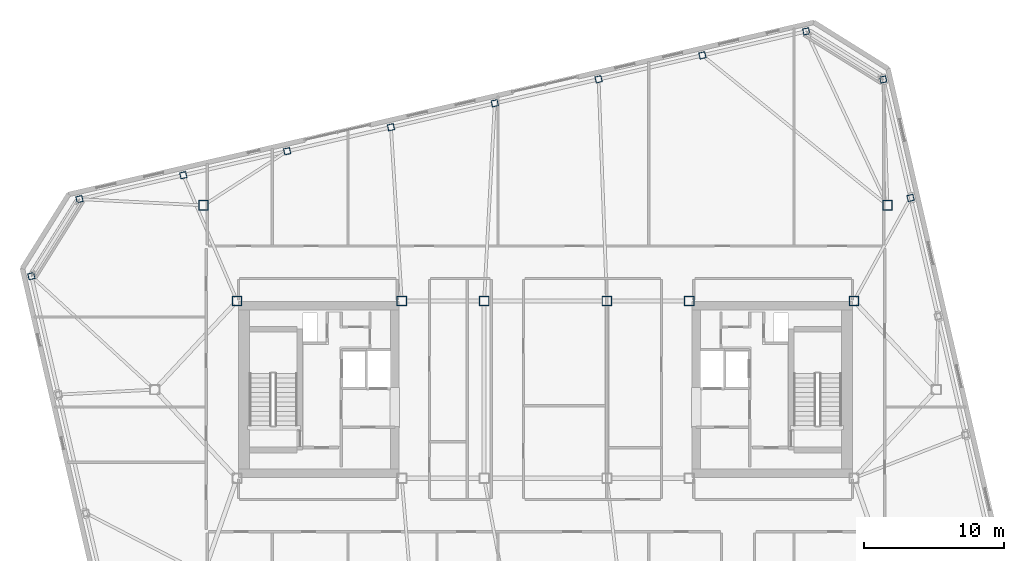
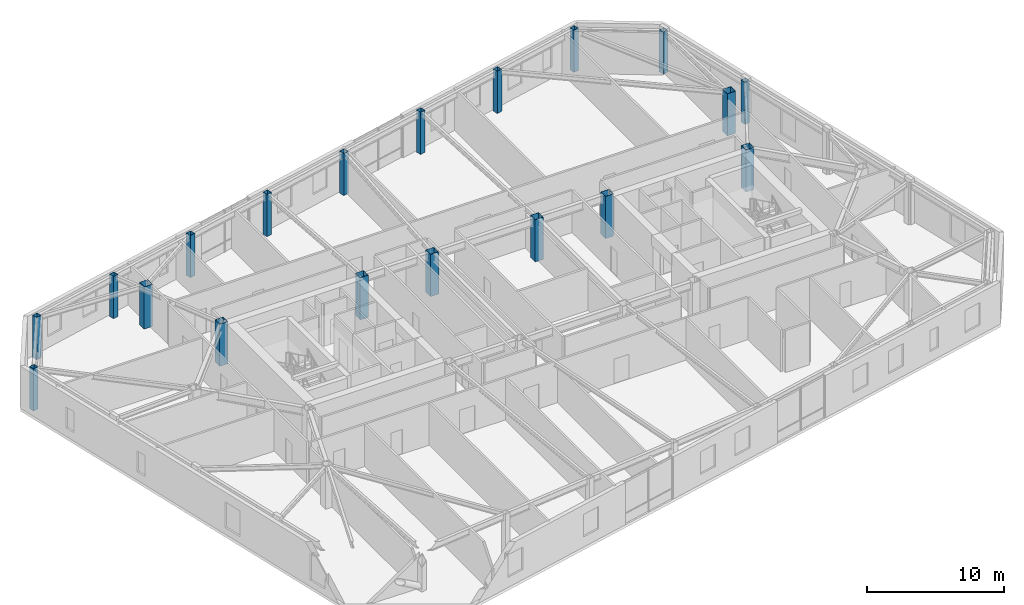
# One storey, part 2 of 23: 19 columns.
"""IFC4 building model written with IfcOpenShell, lengths in metres."""

from ifc_helpers import new_model, si_unit, direction, frame, origin, origin_2d, place, context, subcontext, project, spatial, hollow_rectangle, extrude, material, material_profile, profile_set, type_object, element, save


model = new_model("IFC4")

# Units and contexts
model_context = context("Model", 3, precision=1e-05, world=origin(), true_north=direction((0.0, 1.0)))
body_context = subcontext(model_context, "Body", "Model", "MODEL_VIEW")
ifc_project = project(units=[si_unit("LENGTHUNIT", "METRE"), si_unit("AREAUNIT", "SQUARE_METRE"), si_unit("VOLUMEUNIT", "CUBIC_METRE"), si_unit("PLANEANGLEUNIT", "RADIAN"), si_unit("MASSUNIT", "GRAM", prefix="KILO")], contexts=[model_context])

# Site, building, storey
site_placement = place(None, origin())
site = spatial("IfcSite", under=ifc_project, at=site_placement, CompositionType="ELEMENT")
building_placement = place(site_placement, origin())
building = spatial("IfcBuilding", under=site, at=building_placement, Name="Tavrogorsk Clinical Tower", CompositionType="ELEMENT")
storey_placement = place(building_placement, frame((0.0, 0.0, 297.0)))
storey = spatial("IfcBuildingStorey", under=building, at=storey_placement, Name="L69", CompositionType="ELEMENT", Elevation=297.0)

# Columns
ifc_material_1 = material(Name="Structural steel S440", Category="steel")
ifc_material_profile_1 = material_profile(ifc_material_1, hollow_rectangle(XDim=0.699951171875, YDim=0.699951171875, WallThickness=0.031982421875, at=origin_2d()), Name="BOX-700x700x32")
ifc_profile_set_1 = profile_set([ifc_material_profile_1], Name="Structural steel S440")
column_type_1 = type_object("IfcColumnType", Name="MegaCol_BOX700", PredefinedType="COLUMN", material=ifc_profile_set_1)
for number, where, z_axis, x_axis, name in (
    (1, (-22.10009765625, 6.35009765625, 0.0), (0.0, 0.0, 1.0), (1.0, 0.0, 0.0), "L69 Mega Column MC-W2"),
    (2, (-10.300048828125, 6.35009765625, 0.0), (0.0, 0.0, 1.0), (1.0, 0.0, 0.0), "L69 Mega Column MC-W4"),
    (3, (10.300048828125, 6.35009765625, 0.0), (0.0, 0.0, 1.0), (1.0, 0.0, 0.0), "L69 Mega Column MC-E2"),
    (4, (22.10009765625, 6.35009765625, 0.0), (0.0, 0.0, 1.0), (1.0, 0.0, 0.0), "L69 Mega Column MC-E4"),
    (5, (-4.39990234375, 6.35009765625, 0.0), (0.0, 0.0, 1.0), (1.0, 0.0, 0.0), "L69 Mega Column MC-C3"),
    (6, (4.39990234375, 6.35009765625, 0.0), (0.0, 0.0, 1.0), (1.0, 0.0, 0.0), "L69 Mega Column MC-C4"),
    (7, (-24.5, 13.199951171875, 0.0), (0.0, 0.0, 1.0), (1.0, 0.0, 0.0), "L69 Spine Pilotis Column MC-P3"),
    (8, (24.5, 13.199951171875, 0.0), (0.0, 0.0, 1.0), (1.0, 0.0, 0.0), "L69 Spine Pilotis Column MC-P4"),
):
    element("IfcColumn", number, at=place(storey_placement, frame(where, z_axis=z_axis, x_axis=x_axis)), inside=storey, type_object=column_type_1, Name=name, PredefinedType="COLUMN", context=body_context, shape_type="SweptSolid", body=[
        extrude(hollow_rectangle(XDim=0.699951171875, YDim=0.699951171875, WallThickness=0.031982421875, at=origin_2d()), origin(), (0.0, 0.0, 1.0), 3.739990234375),
    ])
ifc_material_2 = material(Name="Structural steel S440", Category="steel")
ifc_material_profile_2 = material_profile(ifc_material_2, hollow_rectangle(XDim=0.449951171875, YDim=0.449951171875, WallThickness=0.02197265625, at=origin_2d()), Name="BOX-450x450x22")
ifc_profile_set_2 = profile_set([ifc_material_profile_2], Name="Structural steel S440")
column_type_2 = type_object("IfcColumnType", Name="PerimCol_B5_BOX450", PredefinedType="COLUMN", material=ifc_profile_set_2)
for number, where, z_axis, x_axis, name in (
    (9, (18.681640625, 25.666259765625, 0.0), (0.0, 0.0, 1.0), (0.974370064785, 0.224951054344, 0.0), "L69 Perimeter Column N1"),
    (10, (11.2431640625, 23.948974609375, 0.0), (0.0, 0.0, 1.0), (0.974370064785, 0.224951054344, 0.0), "L69 Perimeter Column N2"),
    (11, (3.804443359375, 22.231689453125, 0.0), (0.0, 0.0, 1.0), (0.974370064785, 0.224951054344, 0.0), "L69 Perimeter Column N3"),
    (12, (-3.63427734375, 20.514404296875, 0.0), (0.0, 0.0, 1.0), (0.974370064785, 0.224951054344, 0.0), "L69 Perimeter Column N4"),
    (13, (-11.07275390625, 18.797119140625, 0.0), (0.0, 0.0, 1.0), (0.974370064785, 0.224951054344, 0.0), "L69 Perimeter Column N5"),
    (14, (-18.51123046875, 17.07958984375, 0.0), (0.0, 0.0, 1.0), (0.974370064785, 0.224951054344, 0.0), "L69 Perimeter Column N6"),
    (15, (-25.949951171875, 15.3623046875, 0.0), (0.0, 0.0, 1.0), (0.974370064785, 0.224951054344, 0.0), "L69 Perimeter Column N7"),
    (16, (-33.388671875, 13.64501953125, 0.0), (0.0, 0.0, 1.0), (0.974370064785, 0.224951054344, 0.0), "L69 Perimeter Column N8"),
    (17, (26.157958984375, 13.732177734375, 0.0), (0.0, 0.0, 1.0), (0.974370064785, 0.224951054344, 0.0), "L69 Perimeter Column E4"),
    (18, (24.198486328125, 22.218994140625, 0.0), (0.0, 0.0, 1.0), (0.974370064785, 0.224951054344, 0.0), "L69 Perimeter Column E5"),
    (19, (-36.8359375, 8.128173828125, 0.0), (0.0, 0.0, 1.0), (0.974370064785, 0.224951054344, 0.0), "L69 Perimeter Column W1"),
):
    element("IfcColumn", number, at=place(storey_placement, frame(where, z_axis=z_axis, x_axis=x_axis)), inside=storey, type_object=column_type_2, Name=name, PredefinedType="COLUMN", context=body_context, shape_type="SweptSolid", body=[
        extrude(hollow_rectangle(XDim=0.449951171875, YDim=0.449951171875, WallThickness=0.02197265625, at=origin_2d()), origin(), (0.0, 0.0, 1.0), 3.739990234375),
    ])

save(model, "model.ifc")
